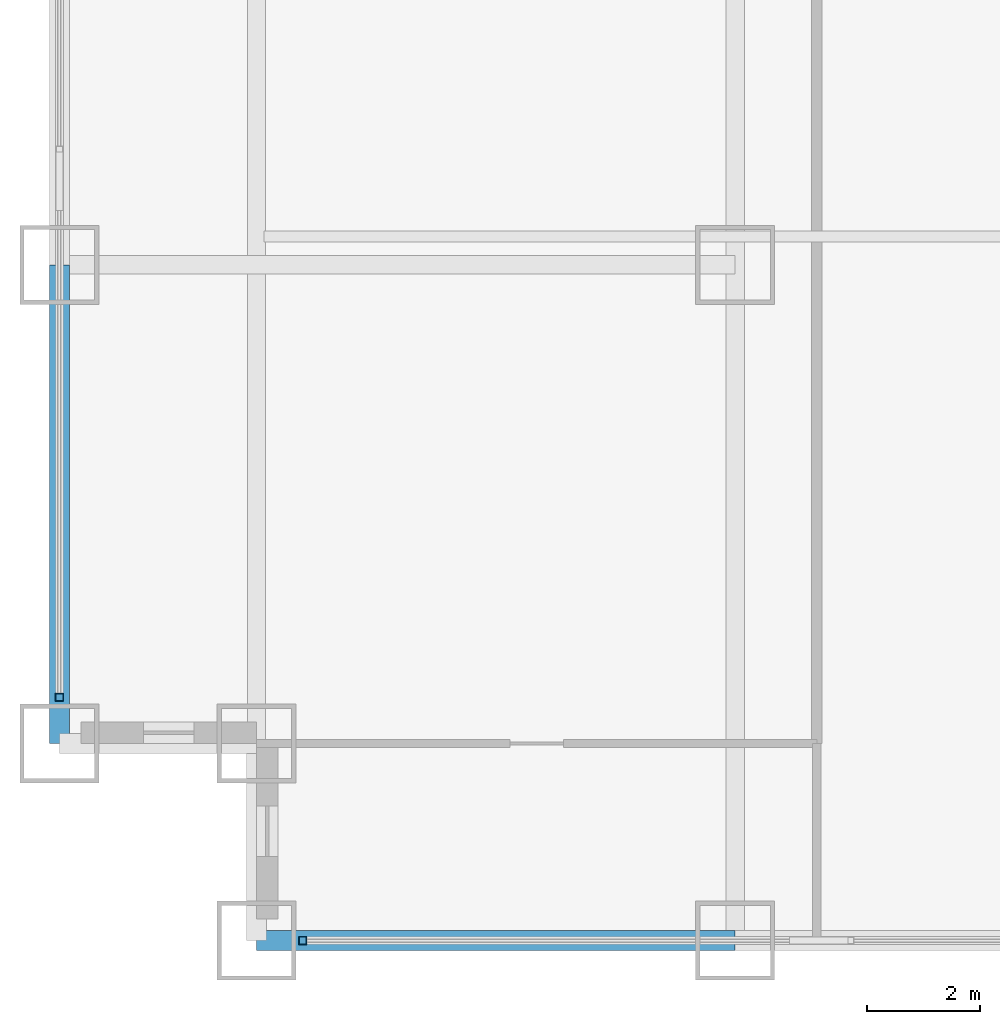
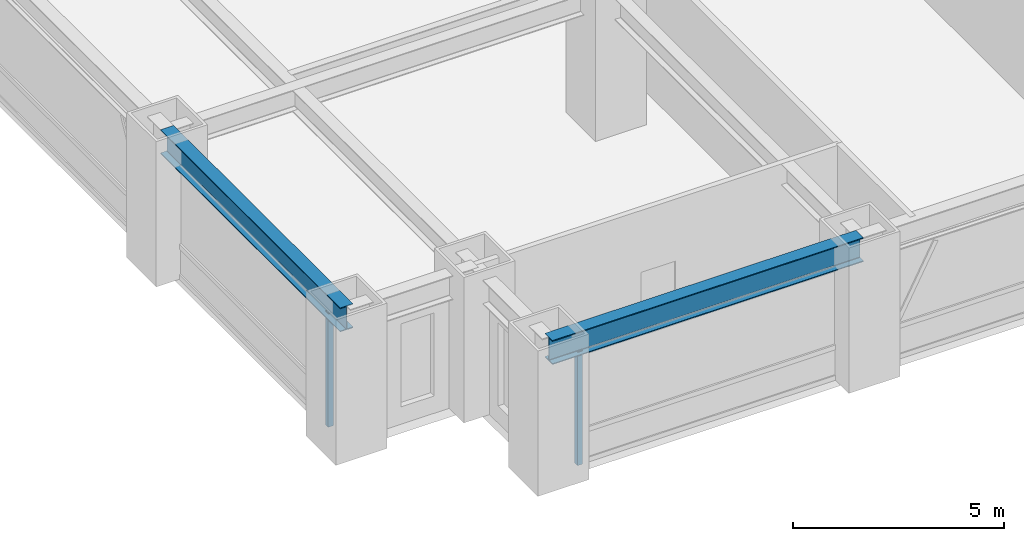
# One storey, part 2 of 27: 2 beams, 2 members, 2 elements without a shape of their own.
"""IFC4 building model written with IfcOpenShell, lengths in metres."""

from ifc_helpers import new_model, si_unit, direction, frame, origin, origin_2d, place, context, subcontext, project, spatial, hollow_rectangle, i_section, extrude, source, transform, mapped, material, material_profile, profile_set, type_object, element, aggregate, save


model = new_model("IFC4")

# Units and contexts
model_context = context("Model", 3, precision=1e-05, world=origin(), true_north=direction((0.0, 1.0)))
body_context = subcontext(model_context, "Body", "Model", "MODEL_VIEW")
ifc_project = project(units=[si_unit("LENGTHUNIT", "METRE"), si_unit("AREAUNIT", "SQUARE_METRE"), si_unit("VOLUMEUNIT", "CUBIC_METRE"), si_unit("PLANEANGLEUNIT", "RADIAN"), si_unit("MASSUNIT", "GRAM", prefix="KILO")], contexts=[model_context])

# Site, building, storey
site_placement = place(None, origin())
site = spatial("IfcSite", under=ifc_project, at=site_placement, CompositionType="ELEMENT")
building_placement = place(site_placement, origin())
building = spatial("IfcBuilding", under=site, at=building_placement, Name="Khorayat Bourse Tower", CompositionType="ELEMENT")
storey_placement = place(building_placement, frame((0.0, 0.0, 49.39990234375)))
storey = spatial("IfcBuildingStorey", under=building, at=storey_placement, Name="L10", CompositionType="ELEMENT", Elevation=49.39990234375)

# Beams
ifc_material_1 = material(Name="Steel ASTM A992 Grade 50", Category="steel")
ifc_material_profile_1 = material_profile(ifc_material_1, i_section(OverallWidth=0.35498046875, OverallDepth=0.695068359375, WebThickness=0.015380859375, FlangeThickness=0.02490234375, FilletRadius=0.01806640625, at=origin_2d()), Name="W690X217")
ifc_profile_set_1 = profile_set([ifc_material_profile_1], Name="Steel ASTM A992 Grade 50")
beam_type = type_object("IfcBeamType", Name="BM-SPAN-690", PredefinedType="SPANDREL", material=ifc_profile_set_1)
shared_shape_1 = source(origin(), body_context, "Body", "SweptSolid", [
    extrude(i_section(OverallWidth=0.35498046875, OverallDepth=0.695068359375, WebThickness=0.015380859375, FlangeThickness=0.02490234375, FilletRadius=0.01806640625, at=origin_2d()), origin(), (0.0, 0.0, 1.0), 8.5),
])
for number, where, z_axis, x_axis, name in (
    (1, (-28.5, -32.0, 3.592529296875), (1.0, 0.0, 0.0), (0.0, 1.0, 0.0), "L10 BM-SPAN-690 BM-L10-SPN-024"),
    (2, (-32.0, -28.5, 3.592529296875), (0.0, 1.0, 0.0), (-1.0, 0.0, 0.0), "L10 BM-SPAN-690 BM-L10-SPN-061"),
):
    element("IfcBeam", number, at=place(storey_placement, frame(where, z_axis=z_axis, x_axis=x_axis)), inside=storey, type_object=beam_type, Name=name, PredefinedType="SPANDREL", context=body_context, shape_type="MappedRepresentation", body=[
        mapped(shared_shape_1, transform((0.0, 0.0, 0.0), scale=1.0)),
    ])

# Curtain wall, member
ifc_material_2 = material(Name="Aluminium EN AW-6063 T6", Category="aluminium")
curtain_wall_type = type_object("IfcCurtainWallType", Name="CW-SYS-02", PredefinedType="NOTDEFINED", material=ifc_material_2)
curtain_wall_1_placement = place(storey_placement, origin())
curtain_wall_1 = element("IfcCurtainWall", 3, at=curtain_wall_1_placement, inside=storey, type_object=curtain_wall_type, Name="L10 Curtain Wall CW-L10-S1", PredefinedType="NOTDEFINED")
ifc_material_profile_2 = material_profile(ifc_material_2, hollow_rectangle(XDim=0.139892578125, YDim=0.139892578125, WallThickness=0.006103515625, at=origin_2d()), Name="ALU 140x140x6")
ifc_profile_set_2 = profile_set([ifc_material_profile_2], Name="Aluminium EN AW-6063 T6")
member_type = type_object("IfcMemberType", Name="CWM-VERT-140", PredefinedType="MULLION", material=ifc_profile_set_2)
shared_shape_2 = source(origin(), body_context, "Body", "SweptSolid", [
    extrude(hollow_rectangle(XDim=0.139892578125, YDim=0.139892578125, WallThickness=0.006103515625, at=origin_2d()), origin(), (0.0, 0.0, 1.0), 3.2900390625),
])
member_1_placement = place(storey_placement, frame((-27.679931640625, -32.0, 0.0), z_axis=(0.0, 0.0, 1.0), x_axis=(0.0, 1.0, 0.0)))
member_1 = element("IfcMember", 4, at=member_1_placement, type_object=member_type, Name="CW-L10-S1 Vertical Mullion 1", PredefinedType="MULLION", context=body_context, shape_type="MappedRepresentation", body=[
    mapped(shared_shape_2, transform((0.0, 0.0, 0.0), scale=1.0)),
])
aggregate(curtain_wall_1, [member_1])

curtain_wall_2_placement = place(storey_placement, origin())
curtain_wall_2 = element("IfcCurtainWall", 5, at=curtain_wall_2_placement, inside=storey, type_object=curtain_wall_type, Name="L10 Curtain Wall CW-L10-W1", PredefinedType="NOTDEFINED")
member_2_placement = place(storey_placement, frame((-32.0, -27.679931640625, 0.0), z_axis=(0.0, 0.0, 1.0), x_axis=(-1.0, 0.0, 0.0)))
member_2 = element("IfcMember", 6, at=member_2_placement, type_object=member_type, Name="CW-L10-W1 Vertical Mullion 1", PredefinedType="MULLION", context=body_context, shape_type="MappedRepresentation", body=[
    mapped(shared_shape_2, transform((0.0, 0.0, 0.0), scale=1.0)),
])
aggregate(curtain_wall_2, [member_2])

save(model, "model.ifc")
